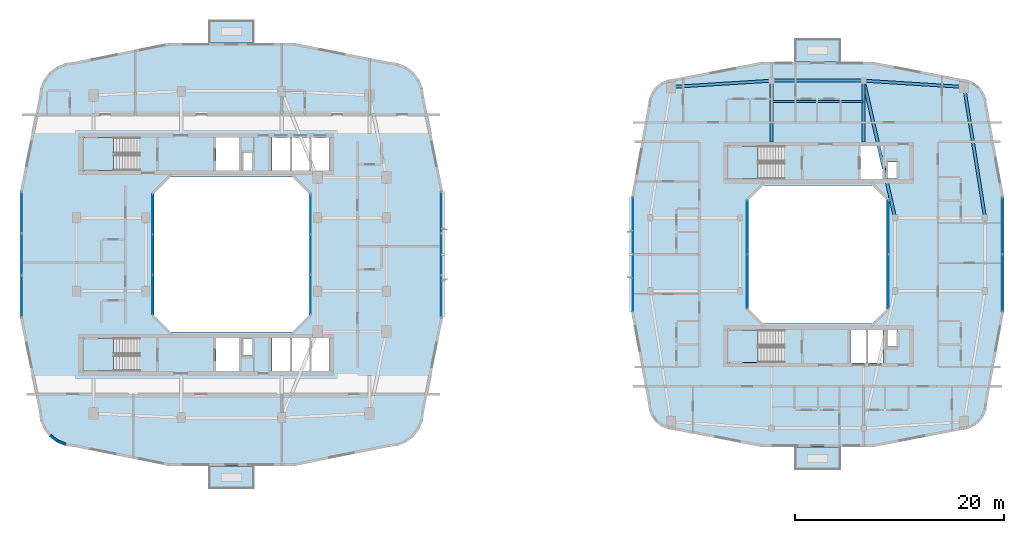
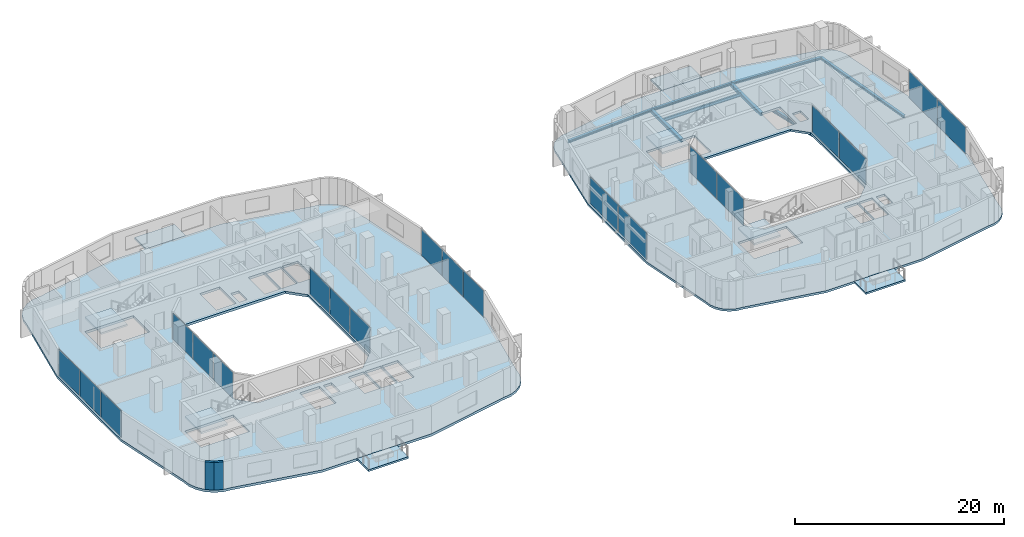
# One storey, part 7 of 22: 20 plates, 10 slabs, 8 beams, 2 walls, 12 elements without a shape of their own.
"""IFC4 building model written with IfcOpenShell, lengths in metres."""

from ifc_helpers import new_model, si_unit, derived_unit, direction, frame, frame_2d, origin, origin_2d, place, context, subcontext, project, spatial, polyline, rectangle, i_section, outline, extrude, material, layer, layer_set, material_profile, profile_set, type_object, element, aggregate, save


model = new_model("IFC4")

# Units and contexts
model_context = context("Model", 3, precision=1e-05, world=origin(), true_north=direction((0.0, 1.0)))
body_context = subcontext(model_context, "Body", "Model", "MODEL_VIEW")
ifc_project = project(units=[si_unit("LENGTHUNIT", "METRE"), si_unit("AREAUNIT", "SQUARE_METRE"), si_unit("VOLUMEUNIT", "CUBIC_METRE"), si_unit("PLANEANGLEUNIT", "RADIAN"), si_unit("MASSUNIT", "GRAM", prefix="KILO"), derived_unit("THERMALTRANSMITTANCEUNIT", [(si_unit("POWERUNIT", "WATT"), 1), (si_unit("LENGTHUNIT", "METRE"), -2), (si_unit("THERMODYNAMICTEMPERATUREUNIT", "KELVIN"), -1)])], contexts=[model_context])

# Site, building, storey
site_placement = place(None, origin())
site = spatial("IfcSite", under=ifc_project, at=site_placement, CompositionType="ELEMENT")
building_placement = place(site_placement, origin())
building = spatial("IfcBuilding", under=site, at=building_placement, Name="Kivonza Crest Hotel", CompositionType="ELEMENT")
storey_placement = place(building_placement, frame((0.0, 0.0, 112.5)))
storey = spatial("IfcBuildingStorey", under=building, at=storey_placement, Name="L30", CompositionType="ELEMENT", Elevation=112.5)

# Beams
ifc_material_1 = material(Name="Steel S355", Category="steel")
ifc_material_profile_1 = material_profile(ifc_material_1, i_section(OverallWidth=0.280029296875, OverallDepth=0.280029296875, WebThickness=0.010498046875, FlangeThickness=0.01806640625, FilletRadius=0.02392578125, at=origin_2d()), Name="HEB 280")
ifc_profile_set_1 = profile_set([ifc_material_profile_1], Name="Steel S355")
beam_type_1 = type_object("IfcBeamType", Name="BM-HEB280", PredefinedType="SPANDREL", material=ifc_profile_set_1)
beam_1_placement = place(storey_placement, frame((93.0, 28.5, -0.389892578125), z_axis=(-0.157990501107, 0.987440631917, 0.0), x_axis=(-0.987440631917, -0.157990501107, 0.0)))
element("IfcBeam", 1, at=beam_1_placement, inside=storey, type_object=beam_type_1, Name="Companion Tower T2 L30 perimeter spandrel E2-NE", PredefinedType="SPANDREL", context=body_context, shape_type="SweptSolid", body=[
    extrude(i_section(OverallWidth=0.280029296875, OverallDepth=0.280029296875, WebThickness=0.010498046875, FlangeThickness=0.01806640625, FilletRadius=0.02392578125, at=origin_2d()), origin(), (0.0, 0.0, 1.0), 12.658935546875),
])
beam_2_placement = place(storey_placement, frame((91.0, 41.0, -0.389892578125), z_axis=(-0.998051985873, 0.062387767186, 0.0), x_axis=(-0.062387767186, -0.998051985873, 0.0)))
element("IfcBeam", 2, at=beam_2_placement, inside=storey, type_object=beam_type_1, Name="Companion Tower T2 L30 perimeter spandrel NE-N2", PredefinedType="SPANDREL", context=body_context, shape_type="SweptSolid", body=[
    extrude(i_section(OverallWidth=0.280029296875, OverallDepth=0.280029296875, WebThickness=0.010498046875, FlangeThickness=0.01806640625, FilletRadius=0.02392578125, at=origin_2d()), origin(), (0.0, 0.0, 1.0), 9.618896484375),
])
beam_3_placement = place(storey_placement, frame((81.39990234375, 41.60009765625, -0.389892578125), z_axis=(-1.0, 0.0, 0.0), x_axis=(0.0, -1.0, 0.0)))
element("IfcBeam", 3, at=beam_3_placement, inside=storey, type_object=beam_type_1, Name="Companion Tower T2 L30 perimeter spandrel N2-N1", PredefinedType="SPANDREL", context=body_context, shape_type="SweptSolid", body=[
    extrude(i_section(OverallWidth=0.280029296875, OverallDepth=0.280029296875, WebThickness=0.010498046875, FlangeThickness=0.01806640625, FilletRadius=0.02392578125, at=origin_2d()), origin(), (0.0, 0.0, 1.0), 8.7998046875),
])
beam_4_placement = place(storey_placement, frame((72.60009765625, 41.60009765625, -0.389892578125), z_axis=(-0.998051985873, -0.062387767186, 0.0), x_axis=(0.062387767186, -0.998051985873, 0.0)))
element("IfcBeam", 4, at=beam_4_placement, inside=storey, type_object=beam_type_1, Name="Companion Tower T2 L30 perimeter spandrel N1-NW", PredefinedType="SPANDREL", context=body_context, shape_type="SweptSolid", body=[
    extrude(i_section(OverallWidth=0.280029296875, OverallDepth=0.280029296875, WebThickness=0.010498046875, FlangeThickness=0.01806640625, FilletRadius=0.02392578125, at=origin_2d()), origin(), (0.0, 0.0, 1.0), 9.618896484375),
])
ifc_material_profile_2 = material_profile(ifc_material_1, i_section(OverallWidth=0.300048828125, OverallDepth=0.39990234375, WebThickness=0.013427734375, FlangeThickness=0.02392578125, FilletRadius=0.027099609375, at=origin_2d()), Name="HEB 400")
ifc_profile_set_2 = profile_set([ifc_material_profile_2], Name="Steel S355")
beam_type_2 = type_object("IfcBeamType", Name="BM-HEB400", PredefinedType="BEAM", material=ifc_profile_set_2)
beam_5_placement = place(storey_placement, frame((84.39990234375, 28.5, -0.449951171875), z_axis=(-0.223227287589, 0.974766422317, 0.0), x_axis=(-0.974766422317, -0.223227287589, 0.0)))
element("IfcBeam", 5, at=beam_5_placement, inside=storey, type_object=beam_type_2, Name="Companion Tower T2 L30 girder WR2-N2", PredefinedType="BEAM", context=body_context, shape_type="SweptSolid", body=[
    extrude(i_section(OverallWidth=0.300048828125, OverallDepth=0.39990234375, WebThickness=0.013427734375, FlangeThickness=0.02392578125, FilletRadius=0.027099609375, at=origin_2d()), origin(), (0.0, 0.0, 1.0), 13.439208984375),
])
for number, where, z_axis, x_axis, name in (
    (6, (72.60009765625, 41.60009765625, -0.449951171875), (0.0, -1.0, 0.0), (1.0, 0.0, 0.0), "Companion T2 L30 radial core girder RN1"),
    (7, (81.39990234375, 41.60009765625, -0.449951171875), (0.0, -1.0, 0.0), (1.0, 0.0, 0.0), "Companion T2 L30 radial core girder RN2"),
):
    element("IfcBeam", number, at=place(storey_placement, frame(where, z_axis=z_axis, x_axis=x_axis)), inside=storey, type_object=beam_type_2, Name=name, PredefinedType="BEAM", context=body_context, shape_type="SweptSolid", body=[
        extrude(i_section(OverallWidth=0.300048828125, OverallDepth=0.39990234375, WebThickness=0.013427734375, FlangeThickness=0.02392578125, FilletRadius=0.027099609375, at=origin_2d()), origin(), (0.0, 0.0, 1.0), 5.85009765625),
    ])
ifc_material_profile_3 = material_profile(ifc_material_1, i_section(OverallWidth=0.169921875, OverallDepth=0.360107421875, WebThickness=0.008056640625, FlangeThickness=0.0126953125, FilletRadius=0.01806640625, at=origin_2d()), Name="IPE 360")
ifc_profile_set_3 = profile_set([ifc_material_profile_3], Name="Steel S355")
beam_type_3 = type_object("IfcBeamType", Name="BM-IPE360", PredefinedType="JOIST", material=ifc_profile_set_3)
beam_6_placement = place(storey_placement, frame((72.679931640625, 39.60009765625, -0.429931640625), z_axis=(1.0, 0.0, 0.0), x_axis=(0.0, 1.0, 0.0)))
element("IfcBeam", 8, at=beam_6_placement, inside=storey, type_object=beam_type_3, Name="Companion Tower T2 L30 North floor joist", PredefinedType="JOIST", context=body_context, shape_type="SweptSolid", body=[
    extrude(i_section(OverallWidth=0.169921875, OverallDepth=0.360107421875, WebThickness=0.008056640625, FlangeThickness=0.0126953125, FilletRadius=0.01806640625, at=origin_2d()), origin(), (0.0, 0.0, 1.0), 8.64013671875),
])

# Curtain wall, plates
ifc_material_2 = material(Name="Anodised bronze aluminium and low-E double glazing", Category="aluminium")
ifc_layer_1 = layer(ifc_material_2, 0.179931640625)
ifc_layer_set_1 = layer_set([ifc_layer_1], Name="Anodised bronze aluminium and low-E double glazing")
curtain_wall_type_1 = type_object("IfcCurtainWallType", Name="CW-SYS-2", PredefinedType="NOTDEFINED", material=ifc_layer_set_1)
curtain_wall_1_placement = place(storey_placement, origin())
curtain_wall_1 = element("IfcCurtainWall", 9, at=curtain_wall_1_placement, inside=storey, type_object=curtain_wall_type_1, Name="L30 unitised curtain wall CW-T1-L30-17", PredefinedType="NOTDEFINED")
ifc_material_3 = material(Name="Solar-control low-E double glazing", Category="glass")
ifc_layer_2 = layer(ifc_material_3, 0.028076171875)
ifc_layer_set_2 = layer_set([ifc_layer_2], Name="Solar-control low-E double glazing")
plate_type = type_object("IfcPlateType", Name="CW-PNL-28", PredefinedType="CURTAIN_PANEL", material=ifc_layer_set_2)
plate_1_placement = place(storey_placement, frame((41.0400390625, 21.0029296875, 0.06494140625), z_axis=(0.0, 0.0, 1.0), x_axis=(0.0, 1.0, 0.0)))
plate_1 = element("IfcPlate", 10, at=plate_1_placement, type_object=plate_type, Name="CW-2 panel 1.1", PredefinedType="CURTAIN_PANEL", context=body_context, shape_type="SweptSolid", body=[
    extrude(rectangle(XDim=3.915771484375, YDim=0.028076171875, at=origin_2d()), origin(), (0.0, 0.0, 1.0), 3.090087890625),
])
plate_2_placement = place(storey_placement, frame((41.0400390625, 25.0, 0.06494140625), z_axis=(0.0, 0.0, 1.0), x_axis=(0.0, 1.0, 0.0)))
plate_2 = element("IfcPlate", 11, at=plate_2_placement, type_object=plate_type, Name="CW-2 panel 2.1", PredefinedType="CURTAIN_PANEL", context=body_context, shape_type="SweptSolid", body=[
    extrude(rectangle(XDim=3.9482421875, YDim=0.028076171875, at=origin_2d()), origin(), (0.0, 0.0, 1.0), 3.090087890625),
])
plate_3_placement = place(storey_placement, frame((41.0400390625, 28.9970703125, 0.06494140625), z_axis=(0.0, 0.0, 1.0), x_axis=(0.0, 1.0, 0.0)))
plate_3 = element("IfcPlate", 12, at=plate_3_placement, type_object=plate_type, Name="CW-2 panel 3.1", PredefinedType="CURTAIN_PANEL", context=body_context, shape_type="SweptSolid", body=[
    extrude(rectangle(XDim=3.915771484375, YDim=0.028076171875, at=origin_2d()), origin(), (0.0, 0.0, 1.0), 3.090087890625),
])
aggregate(curtain_wall_1, [plate_1, plate_2, plate_3])

curtain_wall_2_placement = place(storey_placement, origin())
curtain_wall_2 = element("IfcCurtainWall", 13, at=curtain_wall_2_placement, inside=storey, type_object=curtain_wall_type_1, Name="L30 unitised curtain wall CW-T1-L30-35", PredefinedType="NOTDEFINED")
plate_4_placement = place(storey_placement, frame((0.9599609375, 28.9970703125, 0.06494140625), z_axis=(0.0, 0.0, 1.0), x_axis=(0.0, -1.0, 0.0)))
plate_4 = element("IfcPlate", 14, at=plate_4_placement, type_object=plate_type, Name="CW-2 panel 1.1", PredefinedType="CURTAIN_PANEL", context=body_context, shape_type="SweptSolid", body=[
    extrude(rectangle(XDim=3.915771484375, YDim=0.028076171875, at=origin_2d()), origin(), (0.0, 0.0, 1.0), 3.090087890625),
])
plate_5_placement = place(storey_placement, frame((0.9599609375, 25.0, 0.06494140625), z_axis=(0.0, 0.0, 1.0), x_axis=(0.0, -1.0, 0.0)))
plate_5 = element("IfcPlate", 15, at=plate_5_placement, type_object=plate_type, Name="CW-2 panel 2.1", PredefinedType="CURTAIN_PANEL", context=body_context, shape_type="SweptSolid", body=[
    extrude(rectangle(XDim=3.9482421875, YDim=0.028076171875, at=origin_2d()), origin(), (0.0, 0.0, 1.0), 3.090087890625),
])
plate_6_placement = place(storey_placement, frame((0.9599609375, 21.0029296875, 0.06494140625), z_axis=(0.0, 0.0, 1.0), x_axis=(0.0, -1.0, 0.0)))
plate_6 = element("IfcPlate", 16, at=plate_6_placement, type_object=plate_type, Name="CW-2 panel 3.1", PredefinedType="CURTAIN_PANEL", context=body_context, shape_type="SweptSolid", body=[
    extrude(rectangle(XDim=3.915771484375, YDim=0.028076171875, at=origin_2d()), origin(), (0.0, 0.0, 1.0), 3.090087890625),
])
aggregate(curtain_wall_2, [plate_4, plate_5, plate_6])

ifc_layer_3 = layer(ifc_material_2, 0.159912109375)
ifc_layer_set_3 = layer_set([ifc_layer_3], Name="Anodised bronze aluminium and low-E double glazing")
curtain_wall_type_2 = type_object("IfcCurtainWallType", Name="CW-SYS-5", PredefinedType="NOTDEFINED", material=ifc_layer_set_3)
curtain_wall_3_placement = place(storey_placement, origin())
curtain_wall_3 = element("IfcCurtainWall", 17, at=curtain_wall_3_placement, inside=storey, type_object=curtain_wall_type_2, Name="L30 unitised curtain wall CW-WELL-T1-L30-3", PredefinedType="NOTDEFINED")
plate_7_placement = place(storey_placement, frame((28.56005859375, 21.149658203125, 0.06494140625), z_axis=(0.0, 0.0, 1.0), x_axis=(0.0, 1.0, 0.0)))
plate_7 = element("IfcPlate", 18, at=plate_7_placement, type_object=plate_type, Name="CW-5 panel 1.1", PredefinedType="CURTAIN_PANEL", context=body_context, shape_type="SweptSolid", body=[
    extrude(rectangle(XDim=3.769287109375, YDim=0.028076171875, at=origin_2d()), origin(), (0.0, 0.0, 1.0), 3.090087890625),
])
plate_8_placement = place(storey_placement, frame((28.56005859375, 25.0, 0.06494140625), z_axis=(0.0, 0.0, 1.0), x_axis=(0.0, 1.0, 0.0)))
plate_8 = element("IfcPlate", 19, at=plate_8_placement, type_object=plate_type, Name="CW-5 panel 2.1", PredefinedType="CURTAIN_PANEL", context=body_context, shape_type="SweptSolid", body=[
    extrude(rectangle(XDim=3.8017578125, YDim=0.028076171875, at=origin_2d()), origin(), (0.0, 0.0, 1.0), 3.090087890625),
])
plate_9_placement = place(storey_placement, frame((28.56005859375, 28.850341796875, 0.06494140625), z_axis=(0.0, 0.0, 1.0), x_axis=(0.0, 1.0, 0.0)))
plate_9 = element("IfcPlate", 20, at=plate_9_placement, type_object=plate_type, Name="CW-5 panel 3.1", PredefinedType="CURTAIN_PANEL", context=body_context, shape_type="SweptSolid", body=[
    extrude(rectangle(XDim=3.769287109375, YDim=0.028076171875, at=origin_2d()), origin(), (0.0, 0.0, 1.0), 3.090087890625),
])
aggregate(curtain_wall_3, [plate_7, plate_8, plate_9])

curtain_wall_4_placement = place(storey_placement, origin())
curtain_wall_4 = element("IfcCurtainWall", 21, at=curtain_wall_4_placement, inside=storey, type_object=curtain_wall_type_2, Name="L30 unitised curtain wall CW-WELL-T1-L30-7", PredefinedType="NOTDEFINED")
plate_10_placement = place(storey_placement, frame((13.43994140625, 28.850341796875, 0.06494140625), z_axis=(0.0, 0.0, 1.0), x_axis=(0.0, -1.0, 0.0)))
plate_10 = element("IfcPlate", 22, at=plate_10_placement, type_object=plate_type, Name="CW-5 panel 1.1", PredefinedType="CURTAIN_PANEL", context=body_context, shape_type="SweptSolid", body=[
    extrude(rectangle(XDim=3.769287109375, YDim=0.028076171875, at=origin_2d()), origin(), (0.0, 0.0, 1.0), 3.090087890625),
])
plate_11_placement = place(storey_placement, frame((13.43994140625, 25.0, 0.06494140625), z_axis=(0.0, 0.0, 1.0), x_axis=(0.0, -1.0, 0.0)))
plate_11 = element("IfcPlate", 23, at=plate_11_placement, type_object=plate_type, Name="CW-5 panel 2.1", PredefinedType="CURTAIN_PANEL", context=body_context, shape_type="SweptSolid", body=[
    extrude(rectangle(XDim=3.8017578125, YDim=0.028076171875, at=origin_2d()), origin(), (0.0, 0.0, 1.0), 3.090087890625),
])
plate_12_placement = place(storey_placement, frame((13.43994140625, 21.149658203125, 0.06494140625), z_axis=(0.0, 0.0, 1.0), x_axis=(0.0, -1.0, 0.0)))
plate_12 = element("IfcPlate", 24, at=plate_12_placement, type_object=plate_type, Name="CW-5 panel 3.1", PredefinedType="CURTAIN_PANEL", context=body_context, shape_type="SweptSolid", body=[
    extrude(rectangle(XDim=3.769287109375, YDim=0.028076171875, at=origin_2d()), origin(), (0.0, 0.0, 1.0), 3.090087890625),
])
aggregate(curtain_wall_4, [plate_10, plate_11, plate_12])

ifc_layer_4 = layer(ifc_material_2, 0.179931640625)
ifc_layer_set_4 = layer_set([ifc_layer_4], Name="Anodised bronze aluminium and low-E double glazing")
curtain_wall_type_3 = type_object("IfcCurtainWallType", Name="CW-SYS-4", PredefinedType="NOTDEFINED", material=ifc_layer_set_4)
curtain_wall_5_placement = place(storey_placement, origin())
curtain_wall_5 = element("IfcCurtainWall", 25, at=curtain_wall_5_placement, inside=storey, type_object=curtain_wall_type_3, Name="L30 unitised curtain wall CW-T2-L30-17", PredefinedType="NOTDEFINED")
plate_13_placement = place(storey_placement, frame((94.639892578125, 22.2763671875, 0.06494140625), z_axis=(0.0, 0.0, 1.0), x_axis=(0.0, 1.0, 0.0)))
plate_13 = element("IfcPlate", 26, at=plate_13_placement, type_object=plate_type, Name="CW-4 panel 1.1", PredefinedType="CURTAIN_PANEL", context=body_context, shape_type="SweptSolid", body=[
    extrude(rectangle(XDim=5.382568359375, YDim=0.028076171875, at=origin_2d()), origin(), (0.0, 0.0, 1.0), 3.1201171875),
])
plate_14_placement = place(storey_placement, frame((94.639892578125, 27.7236328125, 0.06494140625), z_axis=(0.0, 0.0, 1.0), x_axis=(0.0, 1.0, 0.0)))
plate_14 = element("IfcPlate", 27, at=plate_14_placement, type_object=plate_type, Name="CW-4 panel 2.1", PredefinedType="CURTAIN_PANEL", context=body_context, shape_type="SweptSolid", body=[
    extrude(rectangle(XDim=5.382568359375, YDim=0.028076171875, at=origin_2d()), origin(), (0.0, 0.0, 1.0), 3.1201171875),
])
aggregate(curtain_wall_5, [plate_13, plate_14])

curtain_wall_6_placement = place(storey_placement, origin())
curtain_wall_6 = element("IfcCurtainWall", 28, at=curtain_wall_6_placement, inside=storey, type_object=curtain_wall_type_3, Name="L30 unitised curtain wall CW-T2-L30-35", PredefinedType="NOTDEFINED")
plate_15_placement = place(storey_placement, frame((59.360107421875, 27.7236328125, 0.06494140625), z_axis=(0.0, 0.0, 1.0), x_axis=(0.0, -1.0, 0.0)))
plate_15 = element("IfcPlate", 29, at=plate_15_placement, type_object=plate_type, Name="CW-4 panel 1.1", PredefinedType="CURTAIN_PANEL", context=body_context, shape_type="SweptSolid", body=[
    extrude(rectangle(XDim=5.382568359375, YDim=0.028076171875, at=origin_2d()), origin(), (0.0, 0.0, 1.0), 3.1201171875),
])
plate_16_placement = place(storey_placement, frame((59.360107421875, 22.2763671875, 0.06494140625), z_axis=(0.0, 0.0, 1.0), x_axis=(0.0, -1.0, 0.0)))
plate_16 = element("IfcPlate", 30, at=plate_16_placement, type_object=plate_type, Name="CW-4 panel 2.1", PredefinedType="CURTAIN_PANEL", context=body_context, shape_type="SweptSolid", body=[
    extrude(rectangle(XDim=5.382568359375, YDim=0.028076171875, at=origin_2d()), origin(), (0.0, 0.0, 1.0), 3.1201171875),
])
aggregate(curtain_wall_6, [plate_15, plate_16])

curtain_wall_7_placement = place(storey_placement, origin())
curtain_wall_7 = element("IfcCurtainWall", 31, at=curtain_wall_7_placement, inside=storey, type_object=curtain_wall_type_2, Name="L30 unitised curtain wall CW-WELL-T2-L30-3", PredefinedType="NOTDEFINED")
plate_17_placement = place(storey_placement, frame((83.760009765625, 22.416259765625, 0.06494140625), z_axis=(0.0, 0.0, 1.0), x_axis=(0.0, 1.0, 0.0)))
plate_17 = element("IfcPlate", 32, at=plate_17_placement, type_object=plate_type, Name="CW-5 panel 1.1", PredefinedType="CURTAIN_PANEL", context=body_context, shape_type="SweptSolid", body=[
    extrude(rectangle(XDim=5.1025390625, YDim=0.028076171875, at=origin_2d()), origin(), (0.0, 0.0, 1.0), 3.1201171875),
])
plate_18_placement = place(storey_placement, frame((83.760009765625, 27.583740234375, 0.06494140625), z_axis=(0.0, 0.0, 1.0), x_axis=(0.0, 1.0, 0.0)))
plate_18 = element("IfcPlate", 33, at=plate_18_placement, type_object=plate_type, Name="CW-5 panel 2.1", PredefinedType="CURTAIN_PANEL", context=body_context, shape_type="SweptSolid", body=[
    extrude(rectangle(XDim=5.1025390625, YDim=0.028076171875, at=origin_2d()), origin(), (0.0, 0.0, 1.0), 3.1201171875),
])
aggregate(curtain_wall_7, [plate_17, plate_18])

curtain_wall_8_placement = place(storey_placement, origin())
curtain_wall_8 = element("IfcCurtainWall", 34, at=curtain_wall_8_placement, inside=storey, type_object=curtain_wall_type_2, Name="L30 unitised curtain wall CW-WELL-T2-L30-7", PredefinedType="NOTDEFINED")
plate_19_placement = place(storey_placement, frame((70.239990234375, 27.583740234375, 0.06494140625), z_axis=(0.0, 0.0, 1.0), x_axis=(0.0, -1.0, 0.0)))
plate_19 = element("IfcPlate", 35, at=plate_19_placement, type_object=plate_type, Name="CW-5 panel 1.1", PredefinedType="CURTAIN_PANEL", context=body_context, shape_type="SweptSolid", body=[
    extrude(rectangle(XDim=5.1025390625, YDim=0.028076171875, at=origin_2d()), origin(), (0.0, 0.0, 1.0), 3.1201171875),
])
plate_20_placement = place(storey_placement, frame((70.239990234375, 22.416259765625, 0.06494140625), z_axis=(0.0, 0.0, 1.0), x_axis=(0.0, -1.0, 0.0)))
plate_20 = element("IfcPlate", 36, at=plate_20_placement, type_object=plate_type, Name="CW-5 panel 2.1", PredefinedType="CURTAIN_PANEL", context=body_context, shape_type="SweptSolid", body=[
    extrude(rectangle(XDim=5.1025390625, YDim=0.028076171875, at=origin_2d()), origin(), (0.0, 0.0, 1.0), 3.1201171875),
])
aggregate(curtain_wall_8, [plate_19, plate_20])

# Slab
ifc_material_4 = material(Name="Concrete C40/50", Category="concrete")
ifc_layer_5 = layer(ifc_material_4, 0.280029296875)
ifc_layer_set_5 = layer_set([ifc_layer_5], Name="Concrete C40/50")
slab_type_1 = type_object("IfcSlabType", Name="SL-HTL-280", PredefinedType="FLOOR", material=ifc_layer_set_5)
slab_1_placement = place(storey_placement, frame((0.0, 0.0, -0.280029296875)))
element("IfcSlab", 37, at=slab_1_placement, inside=storey, type_object=slab_type_1, Name="Tower T1 L30 floor slab", PredefinedType="FLOOR", context=body_context, shape_type="SweptSolid", body=[
    extrude(outline(polyline([(2.60009765625, 10.0), (2.716064453125, 9.1201171875), (3.055908203125, 8.300048828125), (3.595947265625, 7.595947265625), (4.300048828125, 7.055908203125), (5.1201171875, 6.716064453125), (6.0, 6.60009765625), (14.93994140625, 4.800048828125), (27.06005859375, 4.800048828125), (36.0, 6.60009765625), (36.8798828125, 6.716064453125), (37.699951171875, 7.055908203125), (38.404052734375, 7.595947265625), (38.944091796875, 8.300048828125), (39.283935546875, 9.1201171875), (39.39990234375, 10.0), (41.199951171875, 18.93994140625), (41.199951171875, 31.06005859375), (39.39990234375, 40.0), (39.283935546875, 40.8798828125), (38.944091796875, 41.699951171875), (38.404052734375, 42.404052734375), (37.699951171875, 42.944091796875), (36.8798828125, 43.283935546875), (36.0, 43.39990234375), (27.06005859375, 45.199951171875), (14.93994140625, 45.199951171875), (6.0, 43.39990234375), (5.1201171875, 43.283935546875), (4.300048828125, 42.944091796875), (3.595947265625, 42.404052734375), (3.055908203125, 41.699951171875), (2.716064453125, 40.8798828125), (2.60009765625, 40.0), (0.800048828125, 31.06005859375), (0.800048828125, 18.93994140625), (2.60009765625, 10.0)]), holes=[polyline([(15.199951171875, 17.60009765625), (26.800048828125, 17.60009765625), (28.39990234375, 19.199951171875), (28.39990234375, 30.800048828125), (26.800048828125, 32.39990234375), (15.199951171875, 32.39990234375), (13.60009765625, 30.800048828125), (13.60009765625, 19.199951171875), (15.199951171875, 17.60009765625)]), polyline([(6.800048828125, 33.02001953125), (12.159912109375, 33.02001953125), (12.159912109375, 36.159912109375), (6.800048828125, 36.159912109375), (6.800048828125, 33.02001953125)]), polyline([(6.800048828125, 13.860107421875), (12.159912109375, 13.860107421875), (12.159912109375, 17.0), (6.800048828125, 17.0), (6.800048828125, 13.860107421875)]), polyline([(22.080078125, 33.0400390625), (22.969970703125, 33.0400390625), (22.969970703125, 34.679931640625), (22.080078125, 34.679931640625), (22.080078125, 33.0400390625)]), polyline([(22.080078125, 15.320068359375), (22.969970703125, 15.320068359375), (22.969970703125, 16.9599609375), (22.080078125, 16.9599609375), (22.080078125, 15.320068359375)]), polyline([(19.5, 33.0), (21.699951171875, 33.0), (21.699951171875, 36.159912109375), (19.5, 36.159912109375), (19.5, 33.0)]), polyline([(24.860107421875, 33.0), (26.60693359375, 33.0), (26.60693359375, 36.159912109375), (24.860107421875, 36.159912109375), (24.860107421875, 33.0)]), polyline([(26.72705078125, 33.0), (28.472900390625, 33.0), (28.472900390625, 36.159912109375), (26.72705078125, 36.159912109375), (26.72705078125, 33.0)]), polyline([(28.593017578125, 33.0), (30.340087890625, 33.0), (30.340087890625, 36.159912109375), (28.593017578125, 36.159912109375), (28.593017578125, 33.0)]), polyline([(19.5, 13.840087890625), (21.699951171875, 13.840087890625), (21.699951171875, 17.0), (19.5, 17.0), (19.5, 13.840087890625)]), polyline([(24.860107421875, 13.840087890625), (26.60693359375, 13.840087890625), (26.60693359375, 17.0), (24.860107421875, 17.0), (24.860107421875, 13.840087890625)]), polyline([(26.72705078125, 13.840087890625), (28.472900390625, 13.840087890625), (28.472900390625, 17.0), (26.72705078125, 17.0), (26.72705078125, 13.840087890625)]), polyline([(28.593017578125, 13.840087890625), (30.340087890625, 13.840087890625), (30.340087890625, 17.0), (28.593017578125, 17.0), (28.593017578125, 13.840087890625)])]), origin(), (0.0, 0.0, 1.0), 0.280029296875),
])

# Stair, slab
stair_type = type_object("IfcStairType", Name="ST-DL-20R", PredefinedType="HALF_TURN_STAIR", material=ifc_material_4)
stair_1_placement = place(storey_placement, origin())
stair_1 = element("IfcStair", 38, at=stair_1_placement, inside=storey, type_object=stair_type, Name="L30 Protected Exit Stair ST-T1-N", PredefinedType="HALF_TURN_STAIR")
ifc_layer_6 = layer(ifc_material_4, 0.199951171875)
ifc_layer_set_6 = layer_set([ifc_layer_6], Name="Concrete C40/50")
slab_type_2 = type_object("IfcSlabType", Name="SL-LAND-200", PredefinedType="LANDING", material=ifc_layer_set_6)
slab_2_placement = place(storey_placement, frame((0.0, 0.0, 1.550048828125)))
slab_2 = element("IfcSlab", 39, at=slab_2_placement, type_object=slab_type_2, Name="ST-T1-N landing 1", PredefinedType="LANDING", context=body_context, shape_type="SweptSolid", body=[
    extrude(outline(polyline([(9.719970703125, 36.159912109375), (6.800048828125, 36.159912109375), (6.800048828125, 33.02001953125), (9.719970703125, 33.02001953125), (9.719970703125, 36.159912109375)])), origin(), (0.0, 0.0, 1.0), 0.199951171875),
])
aggregate(stair_1, [slab_2])

stair_2_placement = place(storey_placement, origin())
stair_2 = element("IfcStair", 40, at=stair_2_placement, inside=storey, type_object=stair_type, Name="L30 Protected Exit Stair ST-T1-S", PredefinedType="HALF_TURN_STAIR")
slab_3_placement = place(storey_placement, frame((0.0, 0.0, 1.550048828125)))
slab_3 = element("IfcSlab", 41, at=slab_3_placement, type_object=slab_type_2, Name="ST-T1-S landing 1", PredefinedType="LANDING", context=body_context, shape_type="SweptSolid", body=[
    extrude(outline(polyline([(9.719970703125, 17.0), (6.800048828125, 17.0), (6.800048828125, 13.860107421875), (9.719970703125, 13.860107421875), (9.719970703125, 17.0)])), origin(), (0.0, 0.0, 1.0), 0.199951171875),
])
aggregate(stair_2, [slab_3])

stair_3_placement = place(storey_placement, origin())
stair_3 = element("IfcStair", 42, at=stair_3_placement, inside=storey, type_object=stair_type, Name="L30 Protected Exit Stair ST-T2-N", PredefinedType="HALF_TURN_STAIR")
slab_4_placement = place(storey_placement, frame((0.0, 0.0, 1.550048828125)))
slab_4 = element("IfcSlab", 43, at=slab_4_placement, type_object=slab_type_2, Name="ST-T2-N landing 1", PredefinedType="LANDING", context=body_context, shape_type="SweptSolid", body=[
    extrude(outline(polyline([(71.320068359375, 35.360107421875), (68.39990234375, 35.360107421875), (68.39990234375, 32.219970703125), (71.320068359375, 32.219970703125), (71.320068359375, 35.360107421875)])), origin(), (0.0, 0.0, 1.0), 0.199951171875),
])
aggregate(stair_3, [slab_4])

stair_4_placement = place(storey_placement, origin())
stair_4 = element("IfcStair", 44, at=stair_4_placement, inside=storey, type_object=stair_type, Name="L30 Protected Exit Stair ST-T2-S", PredefinedType="HALF_TURN_STAIR")
slab_5_placement = place(storey_placement, frame((0.0, 0.0, 1.550048828125)))
slab_5 = element("IfcSlab", 45, at=slab_5_placement, type_object=slab_type_2, Name="ST-T2-S landing 1", PredefinedType="LANDING", context=body_context, shape_type="SweptSolid", body=[
    extrude(outline(polyline([(71.320068359375, 17.800048828125), (68.39990234375, 17.800048828125), (68.39990234375, 14.659912109375), (71.320068359375, 14.659912109375), (71.320068359375, 17.800048828125)])), origin(), (0.0, 0.0, 1.0), 0.199951171875),
])
aggregate(stair_4, [slab_5])

# Slabs
ifc_layer_7 = layer(ifc_material_4, 0.25)
ifc_layer_set_7 = layer_set([ifc_layer_7], Name="Concrete C40/50")
slab_type_3 = type_object("IfcSlabType", Name="SL-RES-250", PredefinedType="FLOOR", material=ifc_layer_set_7)
slab_6_placement = place(storey_placement, frame((0.0, 0.0, -0.25)))
element("IfcSlab", 46, at=slab_6_placement, inside=storey, type_object=slab_type_3, Name="Companion Tower T2 L30 floor slab", PredefinedType="FLOOR", context=body_context, shape_type="SweptSolid", body=[
    extrude(outline(polyline([(60.800048828125, 10.800048828125), (60.888916015625, 10.126953125), (61.14794921875, 9.5), (61.56201171875, 8.9619140625), (62.10009765625, 8.548095703125), (62.72705078125, 8.2890625), (63.39990234375, 8.199951171875), (71.659912109375, 6.60009765625), (82.340087890625, 6.60009765625), (90.60009765625, 8.199951171875), (91.27294921875, 8.2890625), (91.89990234375, 8.548095703125), (92.43798828125, 8.9619140625), (92.85205078125, 9.5), (93.111083984375, 10.126953125), (93.199951171875, 10.800048828125), (94.800048828125, 19.47998046875), (94.800048828125, 30.52001953125), (93.199951171875, 39.199951171875), (93.111083984375, 39.873046875), (92.85205078125, 40.5), (92.43798828125, 41.0380859375), (91.89990234375, 41.451904296875), (91.27294921875, 41.7109375), (90.60009765625, 41.800048828125), (82.340087890625, 43.39990234375), (71.659912109375, 43.39990234375), (63.39990234375, 41.800048828125), (62.72705078125, 41.7109375), (62.10009765625, 41.451904296875), (61.56201171875, 41.0380859375), (61.14794921875, 40.5), (60.888916015625, 39.873046875), (60.800048828125, 39.199951171875), (59.199951171875, 30.52001953125), (59.199951171875, 19.47998046875), (60.800048828125, 10.800048828125)]), holes=[polyline([(71.800048828125, 18.39990234375), (82.199951171875, 18.39990234375), (83.60009765625, 19.800048828125), (83.60009765625, 30.199951171875), (82.199951171875, 31.60009765625), (71.800048828125, 31.60009765625), (70.39990234375, 30.199951171875), (70.39990234375, 19.800048828125), (71.800048828125, 18.39990234375)]), polyline([(68.39990234375, 32.219970703125), (73.760009765625, 32.219970703125), (73.760009765625, 35.360107421875), (68.39990234375, 35.360107421875), (68.39990234375, 32.219970703125)]), polyline([(68.39990234375, 14.659912109375), (73.760009765625, 14.659912109375), (73.760009765625, 17.800048828125), (68.39990234375, 17.800048828125), (68.39990234375, 14.659912109375)]), polyline([(83.679931640625, 32.239990234375), (84.570068359375, 32.239990234375), (84.570068359375, 33.820068359375), (83.679931640625, 33.820068359375), (83.679931640625, 32.239990234375)]), polyline([(83.679931640625, 16.179931640625), (84.570068359375, 16.179931640625), (84.570068359375, 17.760009765625), (83.679931640625, 17.760009765625), (83.679931640625, 16.179931640625)]), polyline([(81.10009765625, 32.199951171875), (83.199951171875, 32.199951171875), (83.199951171875, 35.360107421875), (81.10009765625, 35.360107421875), (81.10009765625, 32.199951171875)]), polyline([(80.159912109375, 14.639892578125), (81.639892578125, 14.639892578125), (81.639892578125, 17.800048828125), (80.159912109375, 17.800048828125), (80.159912109375, 14.639892578125)]), polyline([(81.760009765625, 14.639892578125), (83.239990234375, 14.639892578125), (83.239990234375, 17.800048828125), (81.760009765625, 17.800048828125), (81.760009765625, 14.639892578125)])]), origin(), (0.0, 0.0, 1.0), 0.25),
])
ifc_layer_8 = layer(ifc_material_4, 0.219970703125)
ifc_layer_set_8 = layer_set([ifc_layer_8], Name="Concrete C40/50")
slab_type_4 = type_object("IfcSlabType", Name="SL-SKYG-220", PredefinedType="FLOOR", material=ifc_layer_set_8)
slab_7_placement = place(storey_placement, frame((0.0, 0.0, -0.219970703125)))
element("IfcSlab", 47, at=slab_7_placement, inside=storey, type_object=slab_type_4, Name="Tower T1 L30 SW planted sky-garden bridge", PredefinedType="FLOOR", context=body_context, shape_type="SweptSolid", body=[
    extrude(outline(polyline([(18.800048828125, 2.60009765625), (23.199951171875, 2.60009765625), (23.199951171875, 4.800048828125), (18.800048828125, 4.800048828125), (18.800048828125, 2.60009765625)])), origin(), (0.0, 0.0, 1.0), 0.219970703125),
])
slab_8_placement = place(storey_placement, frame((0.0, 0.0, -0.219970703125)))
element("IfcSlab", 48, at=slab_8_placement, inside=storey, type_object=slab_type_4, Name="Tower T1 L30 NE planted sky-garden bridge", PredefinedType="FLOOR", context=body_context, shape_type="SweptSolid", body=[
    extrude(outline(polyline([(18.800048828125, 45.199951171875), (23.199951171875, 45.199951171875), (23.199951171875, 47.39990234375), (18.800048828125, 47.39990234375), (18.800048828125, 45.199951171875)])), origin(), (0.0, 0.0, 1.0), 0.219970703125),
])
slab_9_placement = place(storey_placement, frame((0.0, 0.0, -0.219970703125)))
element("IfcSlab", 49, at=slab_9_placement, inside=storey, type_object=slab_type_4, Name="Companion Tower T2 L30 SW planted sky-garden bridge", PredefinedType="FLOOR", context=body_context, shape_type="SweptSolid", body=[
    extrude(outline(polyline([(74.800048828125, 4.39990234375), (79.199951171875, 4.39990234375), (79.199951171875, 6.60009765625), (74.800048828125, 6.60009765625), (74.800048828125, 4.39990234375)])), origin(), (0.0, 0.0, 1.0), 0.219970703125),
])
slab_10_placement = place(storey_placement, frame((0.0, 0.0, -0.219970703125)))
element("IfcSlab", 50, at=slab_10_placement, inside=storey, type_object=slab_type_4, Name="Companion Tower T2 L30 NE planted sky-garden bridge", PredefinedType="FLOOR", context=body_context, shape_type="SweptSolid", body=[
    extrude(outline(polyline([(74.800048828125, 43.39990234375), (79.199951171875, 43.39990234375), (79.199951171875, 45.60009765625), (74.800048828125, 45.60009765625), (74.800048828125, 43.39990234375)])), origin(), (0.0, 0.0, 1.0), 0.219970703125),
])

# Walls
ifc_material_5 = material(Name="Precast concrete C40/50", Category="concrete")
ifc_layer_9 = layer(ifc_material_5, 0.260009765625)
ifc_layer_set_9 = layer_set([ifc_layer_9], Name="Precast concrete C40/50")
wall_type = type_object("IfcWallType", Name="WL-EXT-260", PredefinedType="STANDARD", material=ifc_layer_set_9)
wall_1_placement = place(storey_placement, frame((3.655029296875, 7.714111328125, 0.0), z_axis=(0.0, 0.0, 1.0), x_axis=(0.793558456666, -0.608494022858, 0.0)))
element("IfcWall", 51, at=wall_1_placement, inside=storey, type_object=wall_type, Name="L30 T1 exterior insulated wall 4", PredefinedType="STANDARD", context=body_context, shape_type="SweptSolid", body=[
    extrude(rectangle(XDim=0.90234375, YDim=0.260009765625, at=frame_2d((0.451171875, 0.0))), origin(), (0.0, 0.0, 1.0), 3.219970703125),
])
wall_2_placement = place(storey_placement, frame((4.326904296875, 7.18603515625, 0.0), z_axis=(0.0, 0.0, 1.0), x_axis=(0.923683767999, -0.383155708213, 0.0)))
element("IfcWall", 52, at=wall_2_placement, inside=storey, type_object=wall_type, Name="L30 T1 exterior insulated wall 5", PredefinedType="STANDARD", context=body_context, shape_type="SweptSolid", body=[
    extrude(rectangle(XDim=0.90283203125, YDim=0.260009765625, at=frame_2d((0.451416015625, 0.0))), origin(), (0.0, 0.0, 1.0), 3.219970703125),
])

save(model, "model.ifc")
